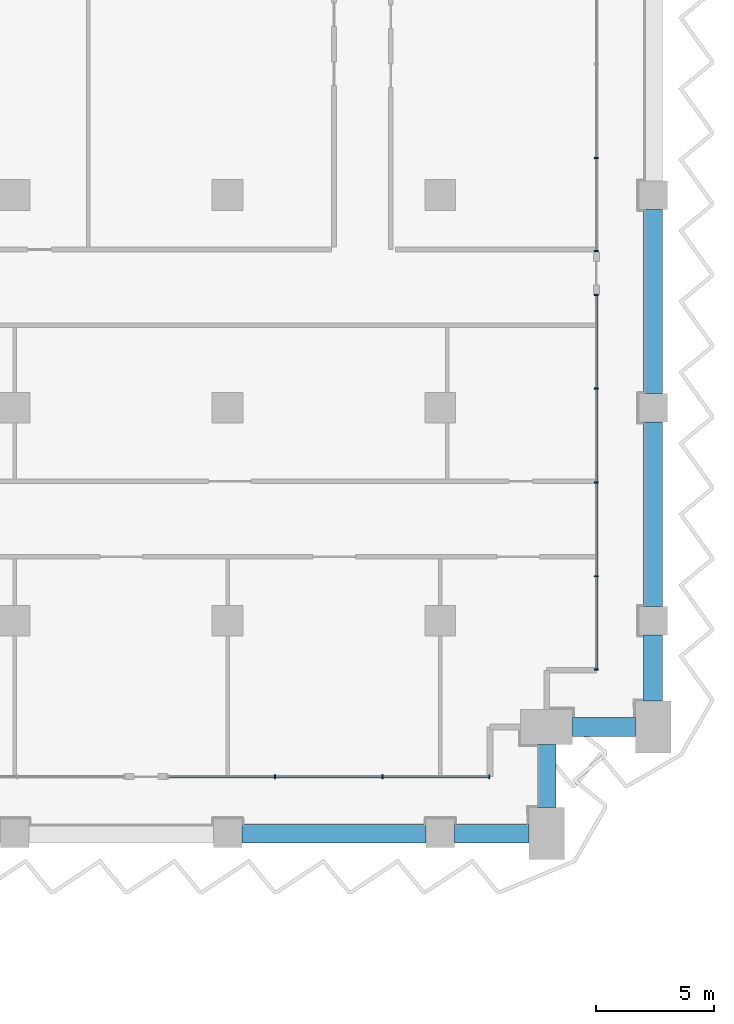
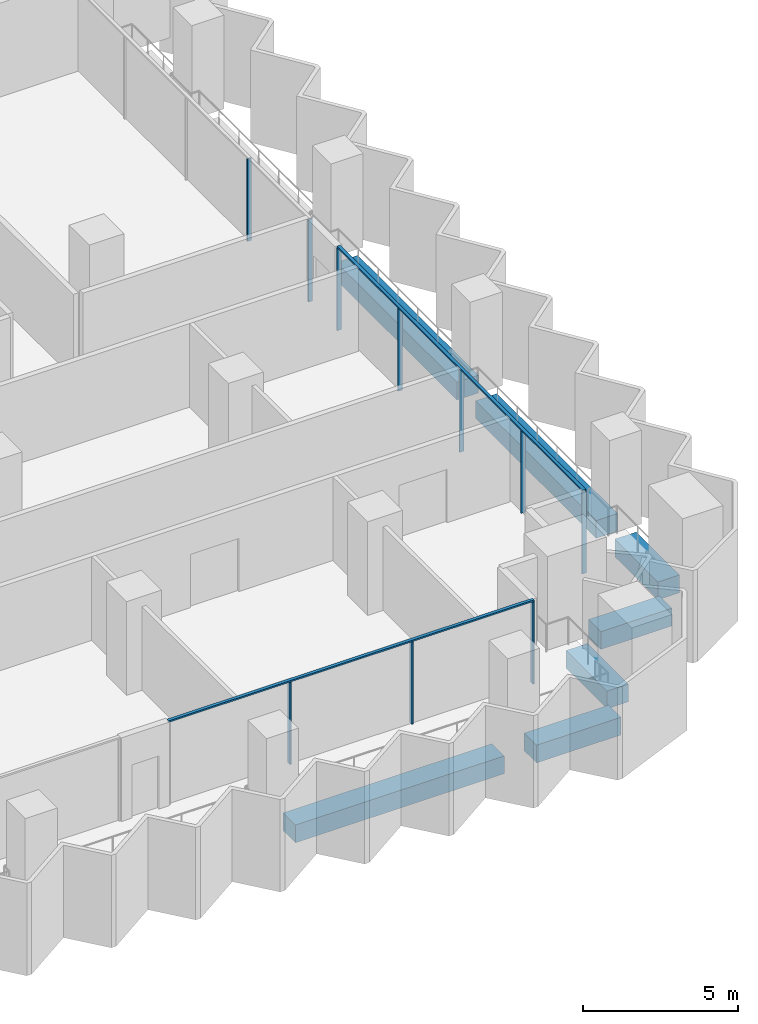
# One storey, part 5 of 23: 12 members, 7 beams, 3 elements without a shape of their own.
"""IFC4 building model written with IfcOpenShell, lengths in metres."""

from ifc_helpers import new_model, si_unit, direction, frame, origin, origin_2d, place, context, subcontext, project, spatial, rectangle, extrude, material, material_profile, profile_set, type_object, element, aggregate, save


model = new_model("IFC4")

# Units and contexts
model_context = context("Model", 3, precision=1e-05, world=origin(), true_north=direction((0.0, 1.0)))
body_context = subcontext(model_context, "Body", "Model", "MODEL_VIEW")
ifc_project = project(units=[si_unit("LENGTHUNIT", "METRE"), si_unit("AREAUNIT", "SQUARE_METRE"), si_unit("VOLUMEUNIT", "CUBIC_METRE"), si_unit("PLANEANGLEUNIT", "RADIAN"), si_unit("MASSUNIT", "GRAM", prefix="KILO")], contexts=[model_context])

# Site, building, storey
site_placement = place(None, origin())
site = spatial("IfcSite", under=ifc_project, at=site_placement, CompositionType="ELEMENT")
building_placement = place(site_placement, origin())
building = spatial("IfcBuilding", under=site, at=building_placement, Name="Hunhe Ridgeline Campus", CompositionType="ELEMENT")
storey_placement = place(building_placement, frame((0.0, 0.0, 103.300048828125)))
storey = spatial("IfcBuildingStorey", under=building, at=storey_placement, Name="L25", CompositionType="ELEMENT", Elevation=103.300048828125)

# Curtain wall, members
ifc_material_1 = material(Name="Aluminium 6063", Category="aluminium")
curtain_wall_type = type_object("IfcCurtainWallType", Name="Curtain wall CW-1", PredefinedType="NOTDEFINED", material=ifc_material_1)
curtain_wall_1_placement = place(storey_placement, origin())
curtain_wall_1 = element("IfcCurtainWall", 1, at=curtain_wall_1_placement, inside=storey, type_object=curtain_wall_type, Name="Curtain wall 13", PredefinedType="NOTDEFINED")
ifc_material_profile_1 = material_profile(ifc_material_1, rectangle(XDim=0.159912109375, YDim=0.06005859375, at=origin_2d()))
ifc_profile_set_1 = profile_set([ifc_material_profile_1], Name="Aluminium 6063")
member_type_1 = type_object("IfcMemberType", Name="CW-1 aluminium mullion", PredefinedType="MULLION", material=ifc_profile_set_1)
member_1_placement = place(storey_placement, frame((64.999267578125, 56.40087890625, 0.0), z_axis=(0.0, 0.0, 1.0), x_axis=(-1.4652e-07, 1.0, 0.0)))
member_1 = element("IfcMember", 2, at=member_1_placement, type_object=member_type_1, Name="CW-1 mullion 2", PredefinedType="MULLION", context=body_context, shape_type="SweptSolid", body=[
    extrude(rectangle(XDim=0.159912109375, YDim=0.06005859375, at=origin_2d()), origin(), (0.0, 0.0, 1.0), 3.239990234375),
])
member_2_placement = place(storey_placement, frame((69.549072265625, 56.40087890625, 0.0), z_axis=(0.0, 0.0, 1.0), x_axis=(-1.4652e-07, 1.0, 0.0)))
member_2 = element("IfcMember", 3, at=member_2_placement, type_object=member_type_1, Name="CW-1 mullion 3", PredefinedType="MULLION", context=body_context, shape_type="SweptSolid", body=[
    extrude(rectangle(XDim=0.159912109375, YDim=0.06005859375, at=origin_2d()), origin(), (0.0, 0.0, 1.0), 3.239990234375),
])
member_3_placement = place(storey_placement, frame((74.069091796875, 56.40087890625, 0.0), z_axis=(0.0, 0.0, 1.0), x_axis=(-1.4652e-07, 1.0, 0.0)))
member_3 = element("IfcMember", 4, at=member_3_placement, type_object=member_type_1, Name="CW-1 mullion 4", PredefinedType="MULLION", context=body_context, shape_type="SweptSolid", body=[
    extrude(rectangle(XDim=0.159912109375, YDim=0.06005859375, at=origin_2d()), origin(), (0.0, 0.0, 1.0), 3.239990234375),
])

curtain_wall_2_placement = place(storey_placement, origin())
curtain_wall_2 = element("IfcCurtainWall", 5, at=curtain_wall_2_placement, inside=storey, type_object=curtain_wall_type, Name="Curtain wall 14", PredefinedType="NOTDEFINED")
member_4_placement = place(storey_placement, frame((78.59912109375, 60.930908203125, 0.0), z_axis=(0.0, 0.0, 1.0), x_axis=(-1.0, 0.0, 0.0)))
member_4 = element("IfcMember", 6, at=member_4_placement, type_object=member_type_1, Name="CW-1 mullion 1", PredefinedType="MULLION", context=body_context, shape_type="SweptSolid", body=[
    extrude(rectangle(XDim=0.159912109375, YDim=0.06005859375, at=origin_2d()), origin(), (0.0, 0.0, 1.0), 3.239990234375),
])
member_5_placement = place(storey_placement, frame((78.59912109375, 64.8759765625, 0.0), z_axis=(0.0, 0.0, 1.0), x_axis=(-1.0, 0.0, 0.0)))
member_5 = element("IfcMember", 7, at=member_5_placement, type_object=member_type_1, Name="CW-1 mullion 2", PredefinedType="MULLION", context=body_context, shape_type="SweptSolid", body=[
    extrude(rectangle(XDim=0.159912109375, YDim=0.06005859375, at=origin_2d()), origin(), (0.0, 0.0, 1.0), 3.239990234375),
])
member_6_placement = place(storey_placement, frame((78.59912109375, 68.850830078125, 0.0), z_axis=(0.0, 0.0, 1.0), x_axis=(-1.0, 0.0, 0.0)))
member_6 = element("IfcMember", 8, at=member_6_placement, type_object=member_type_1, Name="CW-1 mullion 3", PredefinedType="MULLION", context=body_context, shape_type="SweptSolid", body=[
    extrude(rectangle(XDim=0.159912109375, YDim=0.06005859375, at=origin_2d()), origin(), (0.0, 0.0, 1.0), 3.239990234375),
])
member_7_placement = place(storey_placement, frame((78.59912109375, 72.82568359375, 0.0), z_axis=(0.0, 0.0, 1.0), x_axis=(-1.0, 0.0, 0.0)))
member_7 = element("IfcMember", 9, at=member_7_placement, type_object=member_type_1, Name="CW-1 mullion 4", PredefinedType="MULLION", context=body_context, shape_type="SweptSolid", body=[
    extrude(rectangle(XDim=0.159912109375, YDim=0.06005859375, at=origin_2d()), origin(), (0.0, 0.0, 1.0), 3.239990234375),
])
member_8_placement = place(storey_placement, frame((78.59912109375, 76.7705078125, 0.0), z_axis=(0.0, 0.0, 1.0), x_axis=(-1.0, 0.0, 0.0)))
member_8 = element("IfcMember", 10, at=member_8_placement, type_object=member_type_1, Name="CW-1 mullion 5", PredefinedType="MULLION", context=body_context, shape_type="SweptSolid", body=[
    extrude(rectangle(XDim=0.159912109375, YDim=0.06005859375, at=origin_2d()), origin(), (0.0, 0.0, 1.0), 3.239990234375),
])

curtain_wall_3_placement = place(storey_placement, origin())
curtain_wall_3 = element("IfcCurtainWall", 11, at=curtain_wall_3_placement, inside=storey, type_object=curtain_wall_type, Name="Curtain wall 15", PredefinedType="NOTDEFINED")
member_9_placement = place(storey_placement, frame((78.59912109375, 78.630615234375, 0.0), z_axis=(0.0, 0.0, 1.0), x_axis=(-1.0, 0.0, 0.0)))
member_9 = element("IfcMember", 12, at=member_9_placement, type_object=member_type_1, Name="CW-1 mullion 1", PredefinedType="MULLION", context=body_context, shape_type="SweptSolid", body=[
    extrude(rectangle(XDim=0.159912109375, YDim=0.06005859375, at=origin_2d()), origin(), (0.0, 0.0, 1.0), 3.239990234375),
])
member_10_placement = place(storey_placement, frame((78.59912109375, 82.575439453125, 0.0), z_axis=(0.0, 0.0, 1.0), x_axis=(-1.0, 0.0, 0.0)))
member_10 = element("IfcMember", 13, at=member_10_placement, type_object=member_type_1, Name="CW-1 mullion 2", PredefinedType="MULLION", context=body_context, shape_type="SweptSolid", body=[
    extrude(rectangle(XDim=0.159912109375, YDim=0.06005859375, at=origin_2d()), origin(), (0.0, 0.0, 1.0), 3.239990234375),
])
aggregate(curtain_wall_3, [member_9, member_10])

# Member
ifc_material_profile_2 = material_profile(ifc_material_1, rectangle(XDim=0.1201171875, YDim=0.06005859375, at=origin_2d()))
ifc_profile_set_2 = profile_set([ifc_material_profile_2], Name="Aluminium 6063")
member_type_2 = type_object("IfcMemberType", Name="CW-1 aluminium transom", PredefinedType="USERDEFINED", material=ifc_profile_set_2)
member_11_placement = place(storey_placement, frame((60.449462890625, 56.40087890625, 3.27001953125), z_axis=(1.0, 0.0, 0.0), x_axis=(0.0, 1.0, 0.0)))
member_11 = element("IfcMember", 14, at=member_11_placement, type_object=member_type_2, Name="CW-1 transom 1", ObjectType="TRANSOM", PredefinedType="USERDEFINED", context=body_context, shape_type="SweptSolid", body=[
    extrude(rectangle(XDim=0.1201171875, YDim=0.06005859375, at=origin_2d()), origin(), (0.0, 0.0, 1.0), 13.649658203125),
])

aggregate(curtain_wall_1, [member_11, member_1, member_2, member_3])

member_12_placement = place(storey_placement, frame((78.59912109375, 60.90087890625, 3.27001953125), z_axis=(0.0, 1.0, 0.0), x_axis=(-1.0, 0.0, 0.0)))
member_12 = element("IfcMember", 15, at=member_12_placement, type_object=member_type_2, Name="CW-1 transom 1", ObjectType="TRANSOM", PredefinedType="USERDEFINED", context=body_context, shape_type="SweptSolid", body=[
    extrude(rectangle(XDim=0.1201171875, YDim=0.06005859375, at=origin_2d()), origin(), (0.0, 0.0, 1.0), 15.899658203125),
])

aggregate(curtain_wall_2, [member_12, member_4, member_5, member_6, member_7, member_8])

# Beams
ifc_material_2 = material(Name="Concrete C60", Category="concrete")
ifc_material_profile_3 = material_profile(ifc_material_2, rectangle(XDim=0.800048828125, YDim=0.699951171875, at=origin_2d()))
ifc_profile_set_3 = profile_set([ifc_material_profile_3], Name="Concrete C60")
beam_type = type_object("IfcBeamType", Name="RC spandrel beam 800x700 Concrete C60", PredefinedType="SPANDREL", material=ifc_profile_set_3)
beam_1_placement = place(storey_placement, frame((63.60009765625, 54.0, -0.60009765625), z_axis=(1.0, 0.0, 0.0), x_axis=(0.0, 1.0, 0.0)))
element("IfcBeam", 16, at=beam_1_placement, inside=storey, type_object=beam_type, Name="Spandrel beam B1-14 L25", PredefinedType="SPANDREL", context=body_context, shape_type="SweptSolid", body=[
    extrude(rectangle(XDim=0.800048828125, YDim=0.699951171875, at=origin_2d()), origin(), (0.0, 0.0, 1.0), 7.7998046875),
])
beam_2_placement = place(storey_placement, frame((72.60009765625, 54.0, -0.60009765625), z_axis=(1.0, 0.0, 0.0), x_axis=(0.0, 1.0, 0.0)))
element("IfcBeam", 17, at=beam_2_placement, inside=storey, type_object=beam_type, Name="Spandrel beam B1-15 L25", PredefinedType="SPANDREL", context=body_context, shape_type="SweptSolid", body=[
    extrude(rectangle(XDim=0.800048828125, YDim=0.699951171875, at=origin_2d()), origin(), (0.0, 0.0, 1.0), 3.14990234375),
])
for number, where, z_axis, x_axis, name in (
    (18, (76.5, 55.10009765625, -0.60009765625), (0.0, 1.0, 0.0), (-1.0, 0.0, 0.0), "Spandrel beam B1-16 L25"),
    (19, (77.60009765625, 58.5, -0.60009765625), (1.0, 0.0, 0.0), (0.0, 1.0, 0.0), "Spandrel beam B1-17 L25"),
):
    element("IfcBeam", number, at=place(storey_placement, frame(where, z_axis=z_axis, x_axis=x_axis)), inside=storey, type_object=beam_type, Name=name, PredefinedType="SPANDREL", context=body_context, shape_type="SweptSolid", body=[
        extrude(rectangle(XDim=0.800048828125, YDim=0.699951171875, at=origin_2d()), origin(), (0.0, 0.0, 1.0), 2.64990234375),
    ])
beam_3_placement = place(storey_placement, frame((81.0, 59.60009765625, -0.60009765625), z_axis=(0.0, 1.0, 0.0), x_axis=(-1.0, 0.0, 0.0)))
element("IfcBeam", 20, at=beam_3_placement, inside=storey, type_object=beam_type, Name="Spandrel beam B1-18 L25", PredefinedType="SPANDREL", context=body_context, shape_type="SweptSolid", body=[
    extrude(rectangle(XDim=0.800048828125, YDim=0.699951171875, at=origin_2d()), origin(), (0.0, 0.0, 1.0), 2.7998046875),
])
for number, where, z_axis, x_axis, name in (
    (21, (81.0, 63.60009765625, -0.60009765625), (0.0, 1.0, 0.0), (-1.0, 0.0, 0.0), "Spandrel beam B1-19 L25"),
    (22, (81.0, 72.60009765625, -0.60009765625), (0.0, 1.0, 0.0), (-1.0, 0.0, 0.0), "Spandrel beam B1-20 L25"),
):
    element("IfcBeam", number, at=place(storey_placement, frame(where, z_axis=z_axis, x_axis=x_axis)), inside=storey, type_object=beam_type, Name=name, PredefinedType="SPANDREL", context=body_context, shape_type="SweptSolid", body=[
        extrude(rectangle(XDim=0.800048828125, YDim=0.699951171875, at=origin_2d()), origin(), (0.0, 0.0, 1.0), 7.7998046875),
    ])

save(model, "model.ifc")
